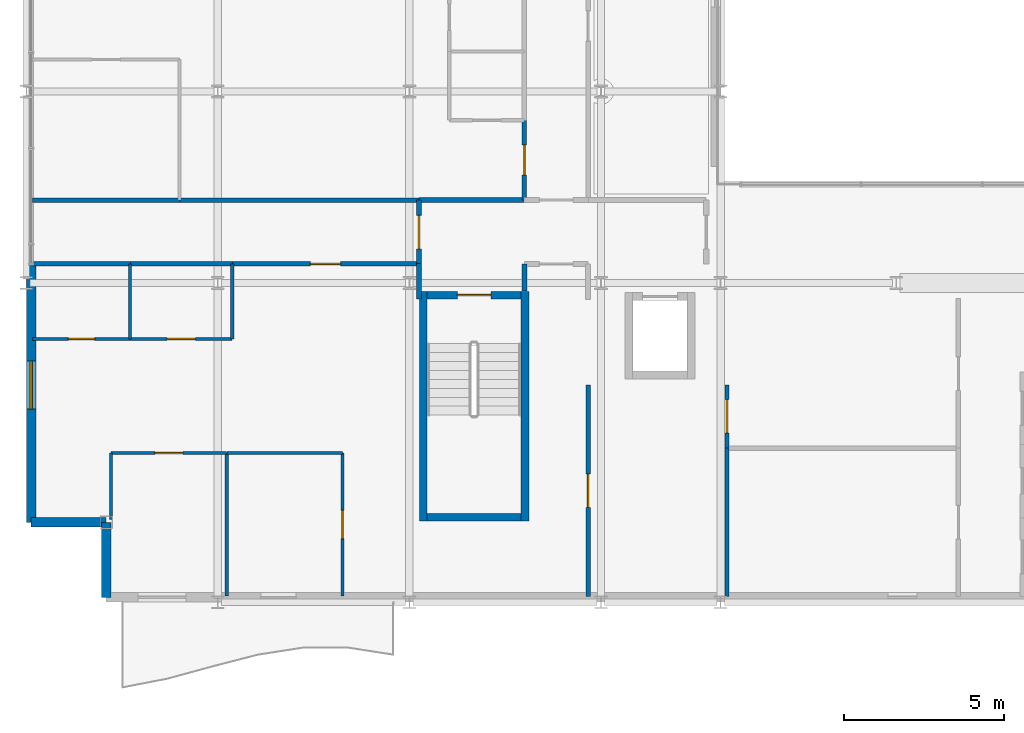
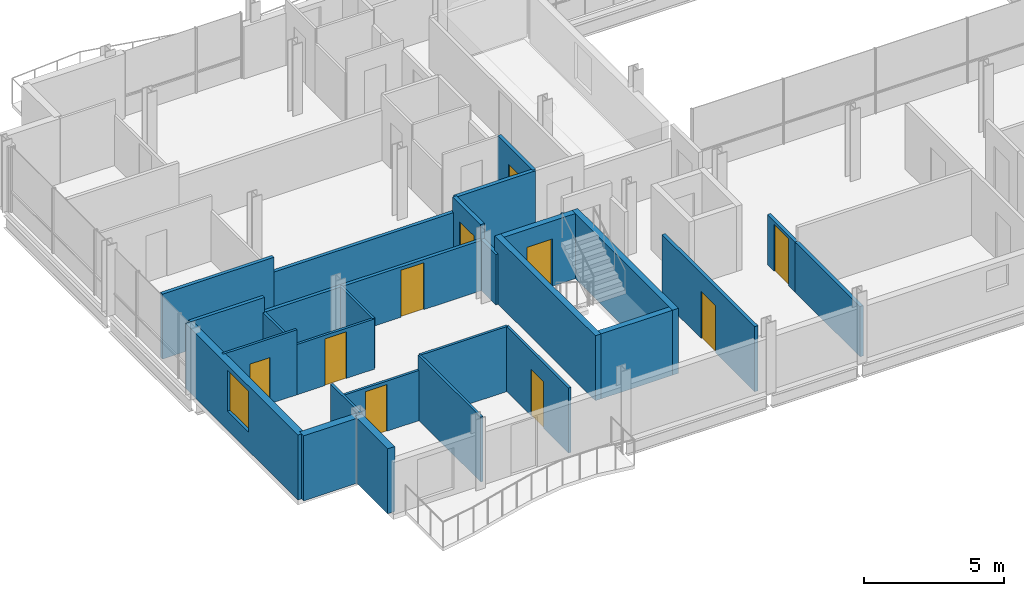
# One storey, part 28 of 36: 29 walls, 10 doors, 1 window, 11 openings.
"""IFC4 building model written with IfcOpenShell, lengths in metres."""

from ifc_helpers import new_model, si_unit, direction, frame, frame_2d, origin, place, context, subcontext, project, spatial, rectangle, extrude, material, layer, layer_set, type_object, element, fill, save


model = new_model("IFC4")

# Units and contexts
model_context = context("Model", 3, precision=1e-05, world=origin(), true_north=direction((0.0, 1.0)))
body_context = subcontext(model_context, "Body", "Model", "MODEL_VIEW")
ifc_project = project(units=[si_unit("LENGTHUNIT", "METRE"), si_unit("AREAUNIT", "SQUARE_METRE"), si_unit("VOLUMEUNIT", "CUBIC_METRE"), si_unit("PLANEANGLEUNIT", "RADIAN"), si_unit("MASSUNIT", "GRAM", prefix="KILO")], contexts=[model_context])

# Site, building, storey
site_placement = place(None, origin())
site = spatial("IfcSite", under=ifc_project, at=site_placement, CompositionType="ELEMENT")
building_placement = place(site_placement, origin())
building = spatial("IfcBuilding", under=site, at=building_placement, Name="Brevholm Reach", CompositionType="ELEMENT")
storey_placement = place(building_placement, frame((0.0, 0.0, 175.89990234375)))
storey = spatial("IfcBuildingStorey", under=building, at=storey_placement, Name="L53", CompositionType="ELEMENT", Elevation=175.89990234375)

# Walls
ifc_material_1 = material(Name="Concrete C45/55", Category="concrete")
ifc_layer_1 = layer(ifc_material_1, 0.239990234375)
ifc_layer_set_1 = layer_set([ifc_layer_1], Name="Concrete C45/55")
wall_type_1 = type_object("IfcWallType", Name="WAL-COR-240", PredefinedType="SHEAR", material=ifc_layer_set_1)
for number, where, z_axis, x_axis, name in (
    (1, (12.429931640625, 2.5400390625, 0.0), (0.0, 0.0, 1.0), (0.0, 1.0, 0.0), "L53 Escape Stair ST-1 Core Wall W"),
    (2, (15.6201171875, 2.5400390625, 0.0), (0.0, 0.0, 1.0), (0.0, 1.0, 0.0), "L53 Escape Stair ST-1 Core Wall E"),
):
    element("IfcWall", number, at=place(storey_placement, frame(where, z_axis=z_axis, x_axis=x_axis)), inside=storey, type_object=wall_type_1, Name=name, PredefinedType="SHEAR", context=body_context, shape_type="SweptSolid", body=[
        extrude(rectangle(XDim=7.199951171875, YDim=0.239990234375, at=frame_2d((3.60009765625, 0.0))), origin(), (0.0, 0.0, 1.0), 2.840087890625),
    ])
wall_1_placement = place(storey_placement, frame((12.550048828125, 2.659912109375, 0.0), z_axis=(0.0, 0.0, 1.0), x_axis=(1.0, 0.0, 0.0)))
element("IfcWall", 3, at=wall_1_placement, inside=storey, type_object=wall_type_1, Name="L53 Escape Stair ST-1 Core Wall S", PredefinedType="SHEAR", context=body_context, shape_type="SweptSolid", body=[
    extrude(rectangle(XDim=2.949951171875, YDim=0.239990234375, at=frame_2d((1.47509765625, 0.0))), origin(), (0.0, 0.0, 1.0), 2.840087890625),
])

# Wall, opening, door
wall_2_placement = place(storey_placement, frame((15.5, 9.6201171875, 0.0), z_axis=(0.0, 0.0, 1.0), x_axis=(-1.0, 0.0, 0.0)))
wall_2 = element("IfcWall", 4, at=wall_2_placement, inside=storey, type_object=wall_type_1, Name="L53 Escape Stair ST-1 Core Wall N", PredefinedType="SHEAR", context=body_context, shape_type="SweptSolid", body=[
    extrude(rectangle(XDim=2.949951171875, YDim=0.239990234375, at=frame_2d((1.47509765625, 0.0))), origin(), (0.0, 0.0, 1.0), 2.840087890625),
])
opening_1_placement = place(wall_2_placement, frame((0.949951171875, 0.0, 0.0)))
opening_1 = element("IfcOpeningElement", 5, at=opening_1_placement, cuts=wall_2, Name="Opening SD-ST-1", PredefinedType="OPENING", context=body_context, shape_type="SweptSolid", body=[
    extrude(rectangle(XDim=1.050048828125, YDim=2.06005859375, at=frame_2d((0.52490234375, 1.030029296875))), frame((0.0, 0.1298828125, 0.0), z_axis=(0.0, -1.0, 0.0), x_axis=(1.0, 0.0, 0.0)), (0.0, 0.0, 1.0), 0.260009765625),
])
ifc_material_2 = material(Name="Hardwood-Lipped Steel-Core Fire and Smoke Door", Category="steel")
door_type_1 = type_object("IfcDoorType", Name="DOR-INT-FD60S", OperationType="NOTDEFINED", PredefinedType="DOOR", material=ifc_material_2)
door_1_placement = place(opening_1_placement, origin())
door_1 = element("IfcDoor", 6, at=door_1_placement, inside=storey, type_object=door_type_1, Name="L53 Protected Stair ST-1 Lobby Door", OperationType="SINGLE_SWING_LEFT", OverallHeight=2.06005859375, OverallWidth=1.050048828125, PredefinedType="DOOR", context=body_context, shape_type="SweptSolid", body=[
    extrude(rectangle(XDim=1.050048828125, YDim=2.06005859375, at=frame_2d((0.52490234375, 1.030029296875))), frame((0.0, 0.02490234375, 0.0), z_axis=(0.0, -1.0, 0.0), x_axis=(1.0, 0.0, 0.0)), (0.0, 0.0, 1.0), 0.050048828125),
])
fill(opening_1, door_1)

# Walls
ifc_material_3 = material(Name="Concrete C40/50", Category="concrete")
ifc_layer_2 = layer(ifc_material_3, 0.300048828125)
ifc_layer_set_2 = layer_set([ifc_layer_2], Name="Concrete C40/50")
wall_type_2 = type_object("IfcWallType", Name="WAL-EXT-300", PredefinedType="STANDARD", material=ifc_layer_set_2)
for number, where, z_axis, x_axis, name in (
    (7, (2.5, 2.5, 0.0), (0.0, 0.0, 1.0), (0.0, -1.0, 0.0), "L53 Facade Wall WAL-L53-CSW1"),
    (8, (0.14990234375, 2.5, 0.0), (0.0, 0.0, 1.0), (1.0, 0.0, 0.0), "L53 Facade Wall WAL-L53-CSW2"),
):
    element("IfcWall", number, at=place(storey_placement, frame(where, z_axis=z_axis, x_axis=x_axis)), inside=storey, type_object=wall_type_2, Name=name, PredefinedType="STANDARD", context=body_context, shape_type="SweptSolid", body=[
        extrude(rectangle(XDim=2.35009765625, YDim=0.300048828125, at=frame_2d((1.175048828125, 0.0))), origin(), (0.0, 0.0, 1.0), 2.840087890625),
    ])

# Wall, opening, window
wall_3_placement = place(storey_placement, frame((0.14990234375, 10.550048828125, 0.0), z_axis=(0.0, 0.0, 1.0), x_axis=(0.0, -1.0, 0.0)))
wall_3 = element("IfcWall", 9, at=wall_3_placement, inside=storey, type_object=wall_type_2, Name="L53 Facade Wall WAL-L53-W-S", PredefinedType="STANDARD", context=body_context, shape_type="SweptSolid", body=[
    extrude(rectangle(XDim=8.050048828125, YDim=0.300048828125, at=frame_2d((4.02490234375, 0.0))), origin(), (0.0, 0.0, 1.0), 2.840087890625),
])
opening_2_placement = place(wall_3_placement, frame((3.0, 0.0, 0.820068359375)))
opening_2 = element("IfcOpeningElement", 10, at=opening_2_placement, cuts=wall_3, Name="Opening WN-05", PredefinedType="OPENING", context=body_context, shape_type="SweptSolid", body=[
    extrude(rectangle(XDim=1.5, YDim=1.800048828125, at=frame_2d((0.75, 0.89990234375))), frame((0.0, 0.159912109375, 0.0), z_axis=(0.0, -1.0, 0.0), x_axis=(1.0, 0.0, 0.0)), (0.0, 0.0, 1.0), 0.320068359375),
])
ifc_material_4 = material(Name="Dark Anodised Aluminium and Solar-Control IGU Glass", Category="aluminium")
window_type = type_object("IfcWindowType", Name="WIN-RES-1500", PartitioningType="SINGLE_PANEL", PredefinedType="WINDOW", material=ifc_material_4)
window_placement = place(opening_2_placement, origin())
window = element("IfcWindow", 11, at=window_placement, inside=storey, type_object=window_type, Name="L53 Window WIN-L53-WS-1", OverallHeight=1.800048828125, OverallWidth=1.5, PartitioningType="SINGLE_PANEL", PredefinedType="WINDOW", context=body_context, shape_type="SweptSolid", body=[
    extrude(rectangle(XDim=1.5, YDim=1.800048828125, at=frame_2d((0.75, 0.89990234375))), frame((0.0, 0.030029296875, 0.0), z_axis=(0.0, -1.0, 0.0), x_axis=(1.0, 0.0, 0.0)), (0.0, 0.0, 1.0), 0.06005859375),
])
fill(opening_2, window)

# Wall
ifc_material_5 = material(Name="Moisture-Resistant Acoustic Gypsum Stud Partition 100 mm", Category="gypsum")
ifc_layer_3 = layer(ifc_material_5, 0.10009765625)
ifc_layer_set_3 = layer_set([ifc_layer_3], Name="Moisture-Resistant Acoustic Gypsum Stud Partition 100 mm")
wall_type_3 = type_object("IfcWallType", Name="WAL-PRT-100", PredefinedType="PARTITIONING", material=ifc_layer_set_3)
wall_4_placement = place(storey_placement, frame((3.25, 8.25, 0.0), z_axis=(0.0, 0.0, 1.0), x_axis=(0.0, 1.0, 0.0)))
element("IfcWall", 12, at=wall_4_placement, inside=storey, type_object=wall_type_3, Name="L53 Internal Partition 057", PredefinedType="PARTITIONING", context=body_context, shape_type="SweptSolid", body=[
    extrude(rectangle(XDim=2.345947265625, YDim=0.10009765625, at=frame_2d((1.1728515625, 0.0))), origin(), (0.0, 0.0, 1.0), 2.19482421875),
])

# Wall, opening, door
wall_5_placement = place(storey_placement, frame((0.199951171875, 8.25, 0.0), z_axis=(0.0, 0.0, 1.0), x_axis=(1.0, 0.0, 0.0)))
wall_5 = element("IfcWall", 13, at=wall_5_placement, inside=storey, type_object=wall_type_3, Name="L53 Internal Partition 058", PredefinedType="PARTITIONING", context=body_context, shape_type="SweptSolid", body=[
    extrude(rectangle(XDim=3.050048828125, YDim=0.10009765625, at=frame_2d((1.52490234375, 0.0))), origin(), (0.0, 0.0, 1.0), 2.840087890625),
])
opening_3_placement = place(wall_5_placement, frame((1.114990234375, 0.0, 0.0)))
opening_3 = element("IfcOpeningElement", 14, at=opening_3_placement, cuts=wall_5, Name="Opening ID-03", PredefinedType="OPENING", context=body_context, shape_type="SweptSolid", body=[
    extrude(rectangle(XDim=0.820068359375, YDim=2.02001953125, at=frame_2d((0.41015625, 1.010009765625))), frame((0.0, 0.06005859375, 0.0), z_axis=(0.0, -1.0, 0.0), x_axis=(1.0, 0.0, 0.0)), (0.0, 0.0, 1.0), 0.1201171875),
])
ifc_material_6 = material(Name="Moisture-Resistant Painted Timber Internal Bathroom Door", Category="wood")
door_type_2 = type_object("IfcDoorType", Name="DOR-BATH-820", OperationType="NOTDEFINED", PredefinedType="DOOR", material=ifc_material_6)
door_2_placement = place(opening_3_placement, origin())
door_2 = element("IfcDoor", 15, at=door_2_placement, inside=storey, type_object=door_type_2, Name="L53 Internal Door 027", OperationType="SINGLE_SWING_LEFT", OverallHeight=2.02001953125, OverallWidth=0.820068359375, PredefinedType="DOOR", context=body_context, shape_type="SweptSolid", body=[
    extrude(rectangle(XDim=0.820068359375, YDim=2.02001953125, at=frame_2d((0.41015625, 1.010009765625))), frame((0.0, 0.02490234375, 0.0), z_axis=(0.0, -1.0, 0.0), x_axis=(1.0, 0.0, 0.0)), (0.0, 0.0, 1.0), 0.050048828125),
])
fill(opening_3, door_2)

wall_6_placement = place(storey_placement, frame((3.25390625, 8.25, 0.0), z_axis=(0.0, 0.0, 1.0), x_axis=(1.0, 0.0, 0.0)))
wall_6 = element("IfcWall", 16, at=wall_6_placement, inside=storey, type_object=wall_type_3, Name="L53 Internal Partition 059", PredefinedType="PARTITIONING", context=body_context, shape_type="SweptSolid", body=[
    extrude(rectangle(XDim=3.196044921875, YDim=0.10009765625, at=frame_2d((1.59814453125, 0.0))), origin(), (0.0, 0.0, 1.0), 2.19482421875),
])
opening_4_placement = place(wall_6_placement, frame((1.157958984375, 0.0, 0.0)))
opening_4 = element("IfcOpeningElement", 17, at=opening_4_placement, cuts=wall_6, Name="Opening ID-01", PredefinedType="OPENING", context=body_context, shape_type="SweptSolid", body=[
    extrude(rectangle(XDim=0.8798828125, YDim=2.0400390625, at=frame_2d((0.43994140625, 1.02001953125))), frame((0.0, 0.06005859375, 0.0), z_axis=(0.0, -1.0, 0.0), x_axis=(1.0, 0.0, 0.0)), (0.0, 0.0, 1.0), 0.1201171875),
])
ifc_material_7 = material(Name="Lacquered Ash Solid-Core Acoustic Internal Door", Category="timber")
door_type_3 = type_object("IfcDoorType", Name="DOR-INT-880", OperationType="NOTDEFINED", PredefinedType="DOOR", material=ifc_material_7)
door_3_placement = place(opening_4_placement, origin())
door_3 = element("IfcDoor", 18, at=door_3_placement, inside=storey, type_object=door_type_3, Name="L53 Internal Door 028", OperationType="SINGLE_SWING_RIGHT", OverallHeight=2.0400390625, OverallWidth=0.8798828125, PredefinedType="DOOR", context=body_context, shape_type="SweptSolid", body=[
    extrude(rectangle(XDim=0.8798828125, YDim=2.0400390625, at=frame_2d((0.43994140625, 1.02001953125))), frame((0.0, 0.02490234375, 0.0), z_axis=(0.0, -1.0, 0.0), x_axis=(1.0, 0.0, 0.0)), (0.0, 0.0, 1.0), 0.050048828125),
])
fill(opening_4, door_3)

# Walls
wall_7_placement = place(storey_placement, frame((6.449951171875, 8.25, 0.0), z_axis=(0.0, 0.0, 1.0), x_axis=(0.0, 1.0, 0.0)))
element("IfcWall", 19, at=wall_7_placement, inside=storey, type_object=wall_type_3, Name="L53 Internal Partition 060", PredefinedType="PARTITIONING", context=body_context, shape_type="SweptSolid", body=[
    extrude(rectangle(XDim=2.345947265625, YDim=0.10009765625, at=frame_2d((1.1728515625, 0.0))), origin(), (0.0, 0.0, 1.0), 2.19482421875),
])
wall_8_placement = place(storey_placement, frame((6.27490234375, 0.199951171875, 0.0), z_axis=(0.0, 0.0, 1.0), x_axis=(0.0, 1.0, 0.0)))
element("IfcWall", 20, at=wall_8_placement, inside=storey, type_object=wall_type_3, Name="L53 Internal Partition 061", PredefinedType="PARTITIONING", context=body_context, shape_type="SweptSolid", body=[
    extrude(rectangle(XDim=4.47216796875, YDim=0.10009765625, at=frame_2d((2.236083984375, 0.0))), origin(), (0.0, 0.0, 1.0), 2.840087890625),
])
wall_9_placement = place(storey_placement, frame((2.64990234375, 2.599365234375, 0.0), z_axis=(0.0, 0.0, 1.0), x_axis=(0.0, 1.0, 0.0)))
element("IfcWall", 21, at=wall_9_placement, inside=storey, type_object=wall_type_3, Name="L53 Internal Partition 062", PredefinedType="PARTITIONING", context=body_context, shape_type="SweptSolid", body=[
    extrude(rectangle(XDim=2.07275390625, YDim=0.10009765625, at=frame_2d((1.036376953125, 0.0))), origin(), (0.0, 0.0, 1.0), 2.840087890625),
])

# Wall, opening, door
wall_10_placement = place(storey_placement, frame((2.64990234375, 4.672119140625, 0.0), z_axis=(0.0, 0.0, 1.0), x_axis=(1.0, 0.0, 0.0)))
wall_10 = element("IfcWall", 22, at=wall_10_placement, inside=storey, type_object=wall_type_3, Name="L53 Internal Partition 063", PredefinedType="PARTITIONING", context=body_context, shape_type="SweptSolid", body=[
    extrude(rectangle(XDim=3.625, YDim=0.10009765625, at=frame_2d((1.8125, 0.0))), origin(), (0.0, 0.0, 1.0), 2.19482421875),
])
opening_5_placement = place(wall_10_placement, frame((1.37255859375, 0.0, 0.0)))
opening_5 = element("IfcOpeningElement", 23, at=opening_5_placement, cuts=wall_10, Name="Opening ID-01", PredefinedType="OPENING", context=body_context, shape_type="SweptSolid", body=[
    extrude(rectangle(XDim=0.8798828125, YDim=2.0400390625, at=frame_2d((0.43994140625, 1.02001953125))), frame((0.0, 0.06005859375, 0.0), z_axis=(0.0, -1.0, 0.0), x_axis=(1.0, 0.0, 0.0)), (0.0, 0.0, 1.0), 0.1201171875),
])
door_4_placement = place(opening_5_placement, origin())
door_4 = element("IfcDoor", 24, at=door_4_placement, inside=storey, type_object=door_type_3, Name="L53 Internal Door 029", OperationType="SINGLE_SWING_LEFT", OverallHeight=2.0400390625, OverallWidth=0.8798828125, PredefinedType="DOOR", context=body_context, shape_type="SweptSolid", body=[
    extrude(rectangle(XDim=0.8798828125, YDim=2.0400390625, at=frame_2d((0.43994140625, 1.02001953125))), frame((0.0, 0.02490234375, 0.0), z_axis=(0.0, -1.0, 0.0), x_axis=(1.0, 0.0, 0.0)), (0.0, 0.0, 1.0), 0.050048828125),
])
fill(opening_5, door_4)

wall_11_placement = place(storey_placement, frame((9.89990234375, 0.199951171875, 0.0), z_axis=(0.0, 0.0, 1.0), x_axis=(0.0, 1.0, 0.0)))
wall_11 = element("IfcWall", 25, at=wall_11_placement, inside=storey, type_object=wall_type_3, Name="L53 Internal Partition 064", PredefinedType="PARTITIONING", context=body_context, shape_type="SweptSolid", body=[
    extrude(rectangle(XDim=4.47216796875, YDim=0.10009765625, at=frame_2d((2.236083984375, 0.0))), origin(), (0.0, 0.0, 1.0), 2.840087890625),
])
opening_6_placement = place(wall_11_placement, frame((1.7958984375, 0.0, 0.0)))
opening_6 = element("IfcOpeningElement", 26, at=opening_6_placement, cuts=wall_11, Name="Opening ID-01", PredefinedType="OPENING", context=body_context, shape_type="SweptSolid", body=[
    extrude(rectangle(XDim=0.8798828125, YDim=2.0400390625, at=frame_2d((0.43994140625, 1.02001953125))), frame((0.0, 0.06005859375, 0.0), z_axis=(0.0, -1.0, 0.0), x_axis=(1.0, 0.0, 0.0)), (0.0, 0.0, 1.0), 0.1201171875),
])
door_5_placement = place(opening_6_placement, origin())
door_5 = element("IfcDoor", 27, at=door_5_placement, inside=storey, type_object=door_type_3, Name="L53 Internal Door 030", OperationType="SINGLE_SWING_RIGHT", OverallHeight=2.0400390625, OverallWidth=0.8798828125, PredefinedType="DOOR", context=body_context, shape_type="SweptSolid", body=[
    extrude(rectangle(XDim=0.8798828125, YDim=2.0400390625, at=frame_2d((0.43994140625, 1.02001953125))), frame((0.0, 0.02490234375, 0.0), z_axis=(0.0, -1.0, 0.0), x_axis=(1.0, 0.0, 0.0)), (0.0, 0.0, 1.0), 0.050048828125),
])
fill(opening_6, door_5)

# Walls
wall_12_placement = place(storey_placement, frame((6.279052734375, 4.672119140625, 0.0), z_axis=(0.0, 0.0, 1.0), x_axis=(1.0, 0.0, 0.0)))
element("IfcWall", 28, at=wall_12_placement, inside=storey, type_object=wall_type_3, Name="L53 Internal Partition 065", PredefinedType="PARTITIONING", context=body_context, shape_type="SweptSolid", body=[
    extrude(rectangle(XDim=3.620849609375, YDim=0.10009765625, at=frame_2d((1.810546875, 0.0))), origin(), (0.0, 0.0, 1.0), 2.840087890625),
])
ifc_material_8 = material(Name="Twin-Stud Acoustic Fire-Rated Gypsum Partition 140 mm", Category="gypsum")
ifc_layer_4 = layer(ifc_material_8, 0.139892578125)
ifc_layer_set_4 = layer_set([ifc_layer_4], Name="Twin-Stud Acoustic Fire-Rated Gypsum Partition 140 mm")
wall_type_4 = type_object("IfcWallType", Name="WAL-PRT-140", PredefinedType="PARTITIONING", material=ifc_layer_set_4)
wall_13_placement = place(storey_placement, frame((21.949951171875, 0.179931640625, 0.0), z_axis=(0.0, 0.0, 1.0), x_axis=(0.0, 1.0, 0.0)))
element("IfcWall", 29, at=wall_13_placement, inside=storey, type_object=wall_type_4, Name="L53 Internal Partition 007", PredefinedType="PARTITIONING", context=body_context, shape_type="SweptSolid", body=[
    extrude(rectangle(XDim=4.64697265625, YDim=0.139892578125, at=frame_2d((2.323486328125, 0.0))), origin(), (0.0, 0.0, 1.0), 2.19482421875),
])

# Wall, opening, door
wall_14_placement = place(storey_placement, frame((21.949951171875, 4.8310546875, 0.0), z_axis=(0.0, 0.0, 1.0), x_axis=(0.0, 1.0, 0.0)))
wall_14 = element("IfcWall", 30, at=wall_14_placement, inside=storey, type_object=wall_type_4, Name="L53 Internal Partition 008", PredefinedType="PARTITIONING", context=body_context, shape_type="SweptSolid", body=[
    extrude(rectangle(XDim=1.980224609375, YDim=0.139892578125, at=frame_2d((0.990234375, 0.0))), origin(), (0.0, 0.0, 1.0), 2.19482421875),
])
opening_7_placement = place(wall_14_placement, frame((0.465087890625, 0.0, 0.0)))
opening_7 = element("IfcOpeningElement", 31, at=opening_7_placement, cuts=wall_14, Name="Opening FD-01", PredefinedType="OPENING", context=body_context, shape_type="SweptSolid", body=[
    extrude(rectangle(XDim=1.050048828125, YDim=2.06005859375, at=frame_2d((0.52490234375, 1.030029296875))), frame((0.0, 0.079833984375, 0.0), z_axis=(0.0, -1.0, 0.0), x_axis=(1.0, 0.0, 0.0)), (0.0, 0.0, 1.0), 0.159912109375),
])
door_6_placement = place(opening_7_placement, origin())
door_6 = element("IfcDoor", 32, at=door_6_placement, inside=storey, type_object=door_type_1, Name="L53 Internal Door 006", OperationType="SINGLE_SWING_RIGHT", OverallHeight=2.06005859375, OverallWidth=1.050048828125, PredefinedType="DOOR", context=body_context, shape_type="SweptSolid", body=[
    extrude(rectangle(XDim=1.050048828125, YDim=2.06005859375, at=frame_2d((0.52490234375, 1.030029296875))), frame((0.0, 0.02490234375, 0.0), z_axis=(0.0, -1.0, 0.0), x_axis=(1.0, 0.0, 0.0)), (0.0, 0.0, 1.0), 0.050048828125),
])
fill(opening_7, door_6)

wall_15_placement = place(storey_placement, frame((17.60009765625, 0.179931640625, 0.0), z_axis=(0.0, 0.0, 1.0), x_axis=(0.0, 1.0, 0.0)))
wall_15 = element("IfcWall", 33, at=wall_15_placement, inside=storey, type_object=wall_type_4, Name="L53 Internal Partition 018", PredefinedType="PARTITIONING", context=body_context, shape_type="SweptSolid", body=[
    extrude(rectangle(XDim=6.63134765625, YDim=0.139892578125, at=frame_2d((3.315673828125, 0.0))), origin(), (0.0, 0.0, 1.0), 2.840087890625),
])
opening_8_placement = place(wall_15_placement, frame((2.790771484375, 0.0, 0.0)))
opening_8 = element("IfcOpeningElement", 34, at=opening_8_placement, cuts=wall_15, Name="Opening FD-01", PredefinedType="OPENING", context=body_context, shape_type="SweptSolid", body=[
    extrude(rectangle(XDim=1.050048828125, YDim=2.06005859375, at=frame_2d((0.52490234375, 1.030029296875))), frame((0.0, 0.079833984375, 0.0), z_axis=(0.0, -1.0, 0.0), x_axis=(1.0, 0.0, 0.0)), (0.0, 0.0, 1.0), 0.159912109375),
])
door_7_placement = place(opening_8_placement, origin())
door_7 = element("IfcDoor", 35, at=door_7_placement, inside=storey, type_object=door_type_1, Name="L53 Internal Door 011", OperationType="SINGLE_SWING_LEFT", OverallHeight=2.06005859375, OverallWidth=1.050048828125, PredefinedType="DOOR", context=body_context, shape_type="SweptSolid", body=[
    extrude(rectangle(XDim=1.050048828125, YDim=2.06005859375, at=frame_2d((0.52490234375, 1.030029296875))), frame((0.0, 0.02490234375, 0.0), z_axis=(0.0, -1.0, 0.0), x_axis=(1.0, 0.0, 0.0)), (0.0, 0.0, 1.0), 0.050048828125),
])
fill(opening_8, door_7)

wall_16_placement = place(storey_placement, frame((15.60009765625, 12.60400390625, 0.0), z_axis=(0.0, 0.0, 1.0), x_axis=(0.0, 1.0, 0.0)))
wall_16 = element("IfcWall", 36, at=wall_16_placement, inside=storey, type_object=wall_type_4, Name="L53 Internal Partition 040", PredefinedType="PARTITIONING", context=body_context, shape_type="SweptSolid", body=[
    extrude(rectangle(XDim=2.50341796875, YDim=0.139892578125, at=frame_2d((1.251708984375, 0.0))), origin(), (0.0, 0.0, 1.0), 2.840087890625),
])
opening_9_placement = place(wall_16_placement, frame((0.776611328125, 0.0, 0.0)))
opening_9 = element("IfcOpeningElement", 37, at=opening_9_placement, cuts=wall_16, Name="Opening ID-30", PredefinedType="OPENING", context=body_context, shape_type="SweptSolid", body=[
    extrude(rectangle(XDim=0.949951171875, YDim=2.050048828125, at=frame_2d((0.47509765625, 1.02490234375))), frame((0.0, 0.079833984375, 0.0), z_axis=(0.0, -1.0, 0.0), x_axis=(1.0, 0.0, 0.0)), (0.0, 0.0, 1.0), 0.159912109375),
])
ifc_material_9 = material(Name="European Oak Veneered Solid-Core Fire Entrance Door", Category="timber")
door_type_4 = type_object("IfcDoorType", Name="DOR-FLT-FD30S", OperationType="NOTDEFINED", PredefinedType="DOOR", material=ifc_material_9)
door_8_placement = place(opening_9_placement, origin())
door_8 = element("IfcDoor", 38, at=door_8_placement, inside=storey, type_object=door_type_4, Name="L53 Internal Door 021", OperationType="SINGLE_SWING_LEFT", OverallHeight=2.050048828125, OverallWidth=0.949951171875, PredefinedType="DOOR", context=body_context, shape_type="SweptSolid", body=[
    extrude(rectangle(XDim=0.949951171875, YDim=2.050048828125, at=frame_2d((0.47509765625, 1.02490234375))), frame((0.0, 0.02490234375, 0.0), z_axis=(0.0, -1.0, 0.0), x_axis=(1.0, 0.0, 0.0)), (0.0, 0.0, 1.0), 0.050048828125),
])
fill(opening_9, door_8)

# Walls
wall_17_placement = place(storey_placement, frame((0.199951171875, 10.60009765625, 0.0), z_axis=(0.0, 0.0, 1.0), x_axis=(1.0, 0.0, 0.0)))
element("IfcWall", 39, at=wall_17_placement, inside=storey, type_object=wall_type_4, Name="L53 Internal Partition 052", PredefinedType="PARTITIONING", context=body_context, shape_type="SweptSolid", body=[
    extrude(rectangle(XDim=3.061279296875, YDim=0.139892578125, at=frame_2d((1.53076171875, 0.0))), origin(), (0.0, 0.0, 1.0), 2.840087890625),
])
wall_18_placement = place(storey_placement, frame((3.24267578125, 10.60009765625, 0.0), z_axis=(0.0, 0.0, 1.0), x_axis=(1.0, 0.0, 0.0)))
element("IfcWall", 40, at=wall_18_placement, inside=storey, type_object=wall_type_4, Name="L53 Internal Partition 053", PredefinedType="PARTITIONING", context=body_context, shape_type="SweptSolid", body=[
    extrude(rectangle(XDim=3.218505859375, YDim=0.139892578125, at=frame_2d((1.609375, 0.0))), origin(), (0.0, 0.0, 1.0), 2.19482421875),
])

# Wall, opening, door
wall_19_placement = place(storey_placement, frame((6.442626953125, 10.60009765625, 0.0), z_axis=(0.0, 0.0, 1.0), x_axis=(1.0, 0.0, 0.0)))
wall_19 = element("IfcWall", 41, at=wall_19_placement, inside=storey, type_object=wall_type_4, Name="L53 Internal Partition 054", PredefinedType="PARTITIONING", context=body_context, shape_type="SweptSolid", body=[
    extrude(rectangle(XDim=5.853271484375, YDim=0.139892578125, at=frame_2d((2.9267578125, 0.0))), origin(), (0.0, 0.0, 1.0), 2.19482421875),
])
opening_10_placement = place(wall_19_placement, frame((2.45166015625, 0.0, 0.0)))
opening_10 = element("IfcOpeningElement", 42, at=opening_10_placement, cuts=wall_19, Name="Opening ID-30", PredefinedType="OPENING", context=body_context, shape_type="SweptSolid", body=[
    extrude(rectangle(XDim=0.949951171875, YDim=2.050048828125, at=frame_2d((0.47509765625, 1.02490234375))), frame((0.0, 0.079833984375, 0.0), z_axis=(0.0, -1.0, 0.0), x_axis=(1.0, 0.0, 0.0)), (0.0, 0.0, 1.0), 0.159912109375),
])
door_9_placement = place(opening_10_placement, origin())
door_9 = element("IfcDoor", 43, at=door_9_placement, inside=storey, type_object=door_type_4, Name="L53 Internal Door 026", OperationType="SINGLE_SWING_RIGHT", OverallHeight=2.050048828125, OverallWidth=0.949951171875, PredefinedType="DOOR", context=body_context, shape_type="SweptSolid", body=[
    extrude(rectangle(XDim=0.949951171875, YDim=2.050048828125, at=frame_2d((0.47509765625, 1.02490234375))), frame((0.0, 0.02490234375, 0.0), z_axis=(0.0, -1.0, 0.0), x_axis=(1.0, 0.0, 0.0)), (0.0, 0.0, 1.0), 0.050048828125),
])
fill(opening_10, door_9)

# Walls
wall_20_placement = place(storey_placement, frame((0.199951171875, 12.60009765625, 0.0), z_axis=(0.0, 0.0, 1.0), x_axis=(1.0, 0.0, 0.0)))
element("IfcWall", 44, at=wall_20_placement, inside=storey, type_object=wall_type_4, Name="L53 Internal Partition 055", PredefinedType="PARTITIONING", context=body_context, shape_type="SweptSolid", body=[
    extrude(rectangle(XDim=4.611328125, YDim=0.139892578125, at=frame_2d((2.3056640625, 0.0))), origin(), (0.0, 0.0, 1.0), 2.840087890625),
])
wall_21_placement = place(storey_placement, frame((4.792724609375, 12.60009765625, 0.0), z_axis=(0.0, 0.0, 1.0), x_axis=(1.0, 0.0, 0.0)))
element("IfcWall", 45, at=wall_21_placement, inside=storey, type_object=wall_type_4, Name="L53 Internal Partition 056", PredefinedType="PARTITIONING", context=body_context, shape_type="SweptSolid", body=[
    extrude(rectangle(XDim=7.503173828125, YDim=0.139892578125, at=frame_2d((3.75146484375, 0.0))), origin(), (0.0, 0.0, 1.0), 2.19482421875),
])
ifc_material_10 = material(Name="Twin-Frame Fire-Rated Gypsum Board and Mineral Wool 160 mm", Category="gypsum")
ifc_layer_5 = layer(ifc_material_10, 0.159912109375)
ifc_layer_set_5 = layer_set([ifc_layer_5], Name="Twin-Frame Fire-Rated Gypsum Board and Mineral Wool 160 mm")
wall_type_5 = type_object("IfcWallType", Name="WAL-PRT-160", PredefinedType="PARTITIONING", material=ifc_layer_set_5)
wall_22_placement = place(storey_placement, frame((15.60009765625, 9.75, 0.0), z_axis=(0.0, 0.0, 1.0), x_axis=(0.0, 1.0, 0.0)))
element("IfcWall", 46, at=wall_22_placement, inside=storey, type_object=wall_type_5, Name="L53 Internal Partition 019", PredefinedType="PARTITIONING", context=body_context, shape_type="SweptSolid", body=[
    extrude(rectangle(XDim=0.85009765625, YDim=0.159912109375, at=frame_2d((0.425048828125, 0.0))), origin(), (0.0, 0.0, 1.0), 2.19482421875),
])

# Wall, opening, door
wall_23_placement = place(storey_placement, frame((12.300048828125, 10.588623046875, 0.0), z_axis=(0.0, 0.0, 1.0), x_axis=(0.0, 1.0, 0.0)))
wall_23 = element("IfcWall", 47, at=wall_23_placement, inside=storey, type_object=wall_type_5, Name="L53 Internal Partition 027", PredefinedType="PARTITIONING", context=body_context, shape_type="SweptSolid", body=[
    extrude(rectangle(XDim=2.011474609375, YDim=0.159912109375, at=frame_2d((1.005859375, 0.0))), origin(), (0.0, 0.0, 1.0), 2.840087890625),
])
opening_11_placement = place(wall_23_placement, frame((0.480712890625, 0.0, 0.0)))
opening_11 = element("IfcOpeningElement", 48, at=opening_11_placement, cuts=wall_23, Name="Opening FD-01", PredefinedType="OPENING", context=body_context, shape_type="SweptSolid", body=[
    extrude(rectangle(XDim=1.050048828125, YDim=2.06005859375, at=frame_2d((0.52490234375, 1.030029296875))), frame((0.0, 0.08984375, 0.0), z_axis=(0.0, -1.0, 0.0), x_axis=(1.0, 0.0, 0.0)), (0.0, 0.0, 1.0), 0.179931640625),
])
door_10_placement = place(opening_11_placement, origin())
door_10 = element("IfcDoor", 49, at=door_10_placement, inside=storey, type_object=door_type_1, Name="L53 Internal Door 015", OperationType="SINGLE_SWING_LEFT", OverallHeight=2.06005859375, OverallWidth=1.050048828125, PredefinedType="DOOR", context=body_context, shape_type="SweptSolid", body=[
    extrude(rectangle(XDim=1.050048828125, YDim=2.06005859375, at=frame_2d((0.52490234375, 1.030029296875))), frame((0.0, 0.02490234375, 0.0), z_axis=(0.0, -1.0, 0.0), x_axis=(1.0, 0.0, 0.0)), (0.0, 0.0, 1.0), 0.050048828125),
])
fill(opening_11, door_10)

# Walls
wall_24_placement = place(storey_placement, frame((12.300048828125, 9.5, 0.0), z_axis=(0.0, 0.0, 1.0), x_axis=(0.0, 1.0, 0.0)))
element("IfcWall", 50, at=wall_24_placement, inside=storey, type_object=wall_type_5, Name="L53 Internal Partition 028", PredefinedType="PARTITIONING", context=body_context, shape_type="SweptSolid", body=[
    extrude(rectangle(XDim=1.107421875, YDim=0.159912109375, at=frame_2d((0.5537109375, 0.0))), origin(), (0.0, 0.0, 1.0), 2.19482421875),
])
wall_25_placement = place(storey_placement, frame((12.300048828125, 12.60009765625, 0.0), z_axis=(0.0, 0.0, 1.0), x_axis=(1.0, 0.0, 0.0)))
element("IfcWall", 51, at=wall_25_placement, inside=storey, type_object=wall_type_5, Name="L53 Internal Partition 029", PredefinedType="PARTITIONING", context=body_context, shape_type="SweptSolid", body=[
    extrude(rectangle(XDim=3.307373046875, YDim=0.159912109375, at=frame_2d((1.65380859375, 0.0))), origin(), (0.0, 0.0, 1.0), 2.840087890625),
])

save(model, "model.ifc")
